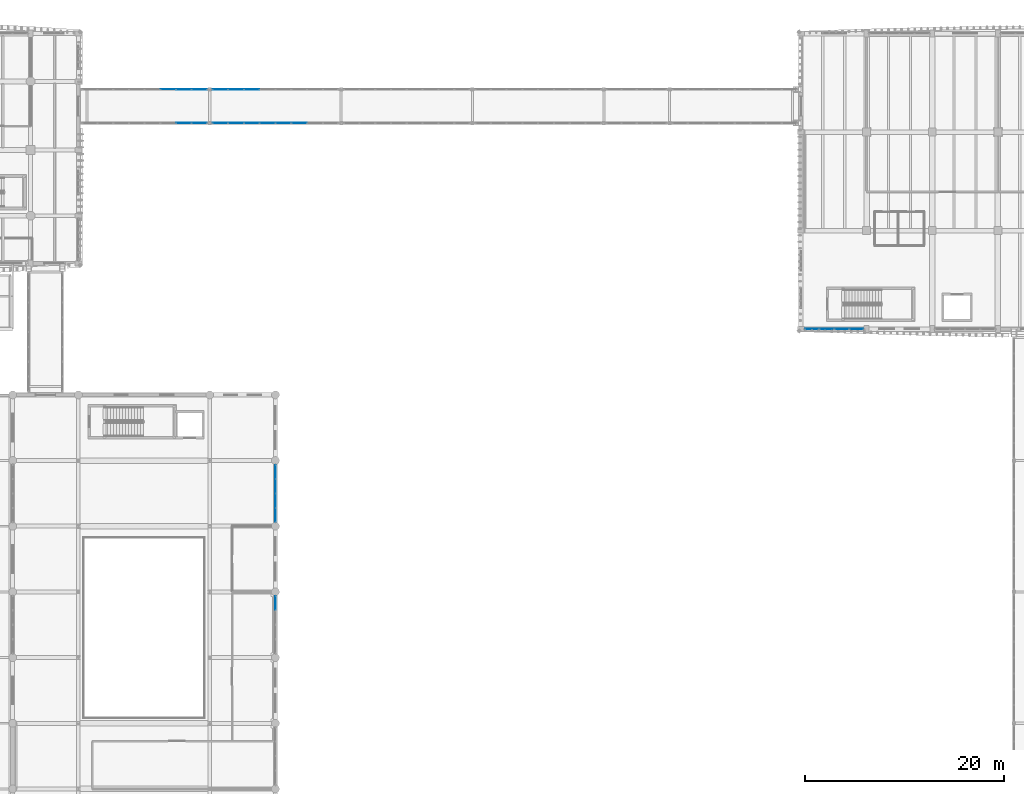
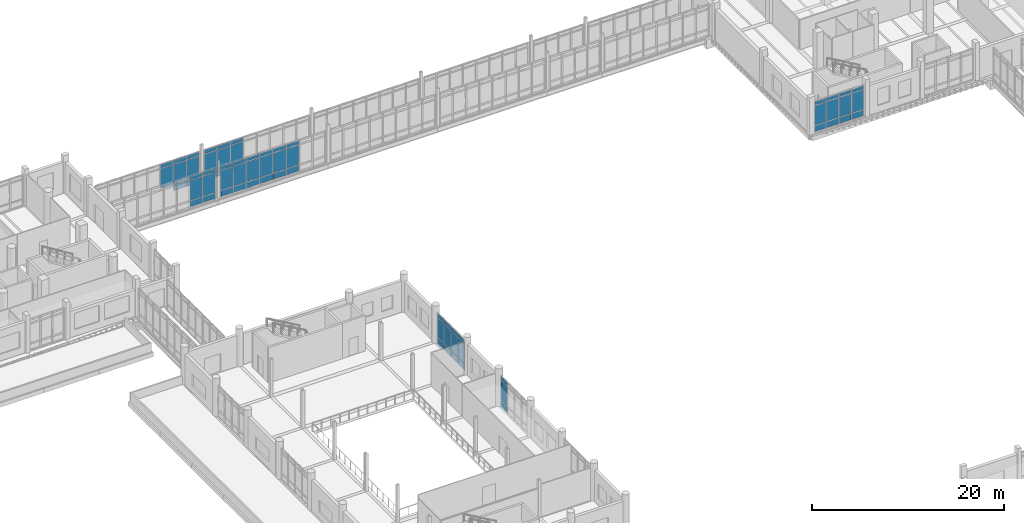
# One storey, part 69 of 125: 68 plates, 7 elements without a shape of their own.
"""IFC4 building model written with IfcOpenShell, lengths in metres."""

from ifc_helpers import new_model, si_unit, direction, frame, origin, origin_2d, place, context, subcontext, project, spatial, rectangle, extrude, material, layer, layer_set, type_object, element, aggregate, save


model = new_model("IFC4")

# Units and contexts
model_context = context("Model", 3, precision=1e-05, world=origin(), true_north=direction((0.0, 1.0)))
body_context = subcontext(model_context, "Body", "Model", "MODEL_VIEW")
ifc_project = project(units=[si_unit("LENGTHUNIT", "METRE"), si_unit("AREAUNIT", "SQUARE_METRE"), si_unit("VOLUMEUNIT", "CUBIC_METRE"), si_unit("PLANEANGLEUNIT", "RADIAN"), si_unit("MASSUNIT", "GRAM", prefix="KILO")], contexts=[model_context])

# Site, building, storey
site_placement = place(None, origin())
site = spatial("IfcSite", under=ifc_project, at=site_placement, CompositionType="ELEMENT")
building_placement = place(site_placement, origin())
building = spatial("IfcBuilding", under=site, at=building_placement, Name="Dornvale Research Institute", CompositionType="ELEMENT")
storey_placement = place(building_placement, frame((0.0, 0.0, 5.39990234375)))
storey = spatial("IfcBuildingStorey", under=building, at=storey_placement, Name="L01", CompositionType="ELEMENT", Elevation=5.39990234375)

# Curtain wall, plates
ifc_material_1 = material(Name="Low-E Argon Double Insulating Glazing Unit", Category="glass")
curtain_wall_type_1 = type_object("IfcCurtainWallType", Name="UnitisedCurtainWall_V2_5810x3950", PredefinedType="USERDEFINED", material=ifc_material_1)
curtain_wall_1_placement = place(storey_placement, origin())
curtain_wall_1 = element("IfcCurtainWall", 1, at=curtain_wall_1_placement, inside=storey, type_object=curtain_wall_type_1, Name="L01 V2 unitised curtain wall CW-02 #7", ObjectType="UNITISED CURTAIN WALL", PredefinedType="USERDEFINED")
ifc_material_2 = material(Name="Insulated Ceramic-Frit Spandrel Glass Panel", Category="glass")
ifc_layer_1 = layer(ifc_material_2, 0.0419921875)
ifc_layer_set_1 = layer_set([ifc_layer_1], Name="Insulated Ceramic-Frit Spandrel Glass Panel")
plate_type_1 = type_object("IfcPlateType", Name="CurtainPanel_Spandrel_42", PredefinedType="CURTAIN_PANEL", material=ifc_layer_set_1)
plate_1_placement = place(storey_placement, frame((66.0, 78.0625, 0.065185546875), z_axis=(0.0, 0.0, 1.0), x_axis=(0.0, -1.0, 0.0)))
plate_1 = element("IfcPlate", 2, at=plate_1_placement, type_object=plate_type_1, Name="CW-02 panel 1.1", PredefinedType="CURTAIN_PANEL", context=body_context, shape_type="SweptSolid", body=[
    extrude(rectangle(XDim=1.35498046875, YDim=0.0419921875, at=origin_2d()), origin(), (0.0, 0.0, 1.0), 0.75244140625),
])
plate_2_placement = place(storey_placement, frame((66.0, 76.626220703125, 0.065185546875), z_axis=(0.0, 0.0, 1.0), x_axis=(0.0, -1.0, 0.0)))
plate_2 = element("IfcPlate", 3, at=plate_2_placement, type_object=plate_type_1, Name="CW-02 panel 2.1", PredefinedType="CURTAIN_PANEL", context=body_context, shape_type="SweptSolid", body=[
    extrude(rectangle(XDim=1.387451171875, YDim=0.0419921875, at=origin_2d()), origin(), (0.0, 0.0, 1.0), 0.75244140625),
])
plate_3_placement = place(storey_placement, frame((66.0, 75.173828125, 0.065185546875), z_axis=(0.0, 0.0, 1.0), x_axis=(0.0, -1.0, 0.0)))
plate_3 = element("IfcPlate", 4, at=plate_3_placement, type_object=plate_type_1, Name="CW-02 panel 3.1", PredefinedType="CURTAIN_PANEL", context=body_context, shape_type="SweptSolid", body=[
    extrude(rectangle(XDim=1.387451171875, YDim=0.0419921875, at=origin_2d()), origin(), (0.0, 0.0, 1.0), 0.75244140625),
])
plate_4_placement = place(storey_placement, frame((66.0, 73.737548828125, 0.065185546875), z_axis=(0.0, 0.0, 1.0), x_axis=(0.0, -1.0, 0.0)))
plate_4 = element("IfcPlate", 5, at=plate_4_placement, type_object=plate_type_1, Name="CW-02 panel 4.1", PredefinedType="CURTAIN_PANEL", context=body_context, shape_type="SweptSolid", body=[
    extrude(rectangle(XDim=1.35498046875, YDim=0.0419921875, at=origin_2d()), origin(), (0.0, 0.0, 1.0), 0.75244140625),
])

# Curtain wall, plate
curtain_wall_2_placement = place(storey_placement, origin())
curtain_wall_2 = element("IfcCurtainWall", 6, at=curtain_wall_2_placement, inside=storey, type_object=curtain_wall_type_1, Name="L01 V2 unitised curtain wall CW-02 #8", ObjectType="UNITISED CURTAIN WALL", PredefinedType="USERDEFINED")
plate_5_placement = place(storey_placement, frame((66.0, 64.862548828125, 0.065185546875), z_axis=(0.0, 0.0, 1.0), x_axis=(0.0, -1.0, 0.0)))
plate_5 = element("IfcPlate", 7, at=plate_5_placement, type_object=plate_type_1, Name="CW-02 panel 1.1", PredefinedType="CURTAIN_PANEL", context=body_context, shape_type="SweptSolid", body=[
    extrude(rectangle(XDim=1.35498046875, YDim=0.0419921875, at=origin_2d()), origin(), (0.0, 0.0, 1.0), 0.75244140625),
])

# Curtain wall, plates
ifc_material_3 = material(Name="Low-E Argon Double Insulating Glazing Unit", Category="glass")
curtain_wall_type_2 = type_object("IfcCurtainWallType", Name="UnitisedCurtainWall_V4_6000x3950", PredefinedType="USERDEFINED", material=ifc_material_3)
curtain_wall_3_placement = place(storey_placement, origin())
curtain_wall_3 = element("IfcCurtainWall", 8, at=curtain_wall_3_placement, inside=storey, type_object=curtain_wall_type_2, Name="L01 V4 unitised curtain wall CW-14 #81", ObjectType="UNITISED CURTAIN WALL", PredefinedType="USERDEFINED")
plate_6_placement = place(storey_placement, frame((124.3837890625, 92.39990234375, 0.065185546875), z_axis=(0.0, 0.0, 1.0), x_axis=(-1.0, 0.0, 0.0)))
plate_6 = element("IfcPlate", 9, at=plate_6_placement, type_object=plate_type_1, Name="CW-14 panel 1.1", PredefinedType="CURTAIN_PANEL", context=body_context, shape_type="SweptSolid", body=[
    extrude(rectangle(XDim=1.402587890625, YDim=0.0419921875, at=origin_2d()), origin(), (0.0, 0.0, 1.0), 0.75244140625),
])
plate_7_placement = place(storey_placement, frame((122.89990234375, 92.39990234375, 0.065185546875), z_axis=(0.0, 0.0, 1.0), x_axis=(-1.0, 0.0, 0.0)))
plate_7 = element("IfcPlate", 10, at=plate_7_placement, type_object=plate_type_1, Name="CW-14 panel 2.1", PredefinedType="CURTAIN_PANEL", context=body_context, shape_type="SweptSolid", body=[
    extrude(rectangle(XDim=1.43505859375, YDim=0.0419921875, at=origin_2d()), origin(), (0.0, 0.0, 1.0), 0.75244140625),
])
plate_8_placement = place(storey_placement, frame((121.39990234375, 92.39990234375, 0.065185546875), z_axis=(0.0, 0.0, 1.0), x_axis=(-1.0, 0.0, 0.0)))
plate_8 = element("IfcPlate", 11, at=plate_8_placement, type_object=plate_type_1, Name="CW-14 panel 3.1", PredefinedType="CURTAIN_PANEL", context=body_context, shape_type="SweptSolid", body=[
    extrude(rectangle(XDim=1.43505859375, YDim=0.0419921875, at=origin_2d()), origin(), (0.0, 0.0, 1.0), 0.75244140625),
])
plate_9_placement = place(storey_placement, frame((119.916259765625, 92.39990234375, 0.065185546875), z_axis=(0.0, 0.0, 1.0), x_axis=(-1.0, 0.0, 0.0)))
plate_9 = element("IfcPlate", 12, at=plate_9_placement, type_object=plate_type_1, Name="CW-14 panel 4.1", PredefinedType="CURTAIN_PANEL", context=body_context, shape_type="SweptSolid", body=[
    extrude(rectangle(XDim=1.402587890625, YDim=0.0419921875, at=origin_2d()), origin(), (0.0, 0.0, 1.0), 0.75244140625),
])

ifc_material_4 = material(Name="Low-E Argon Double Insulating Glazing Unit", Category="glass")
curtain_wall_type_3 = type_object("IfcCurtainWallType", Name="UnitisedCurtainWall_V2_12600x4000", PredefinedType="USERDEFINED", material=ifc_material_4)
curtain_wall_4_placement = place(storey_placement, origin())
curtain_wall_4 = element("IfcCurtainWall", 13, at=curtain_wall_4_placement, inside=storey, type_object=curtain_wall_type_3, Name="L01 V2 unitised curtain wall CW-41 #211", ObjectType="UNITISED CURTAIN WALL", PredefinedType="USERDEFINED")
plate_10_placement = place(storey_placement, frame((56.78759765625, 116.5, 0.065185546875), z_axis=(0.0, 0.0, 1.0), x_axis=(1.0, 0.0, 0.0)))
plate_10 = element("IfcPlate", 14, at=plate_10_placement, type_object=plate_type_1, Name="CW-41 panel 7.1", PredefinedType="CURTAIN_PANEL", context=body_context, shape_type="SweptSolid", body=[
    extrude(rectangle(XDim=1.510009765625, YDim=0.0419921875, at=origin_2d()), origin(), (0.0, 0.0, 1.0), 0.75244140625),
])
plate_11_placement = place(storey_placement, frame((58.34619140625, 116.5, 0.065185546875), z_axis=(0.0, 0.0, 1.0), x_axis=(1.0, 0.0, 0.0)))
plate_11 = element("IfcPlate", 15, at=plate_11_placement, type_object=plate_type_1, Name="CW-41 panel 8.1", PredefinedType="CURTAIN_PANEL", context=body_context, shape_type="SweptSolid", body=[
    extrude(rectangle(XDim=1.4775390625, YDim=0.0419921875, at=origin_2d()), origin(), (0.0, 0.0, 1.0), 0.75244140625),
])

curtain_wall_5_placement = place(storey_placement, origin())
curtain_wall_5 = element("IfcCurtainWall", 16, at=curtain_wall_5_placement, inside=storey, type_object=curtain_wall_type_3, Name="L01 V2 unitised curtain wall CW-41 #212", ObjectType="UNITISED CURTAIN WALL", PredefinedType="USERDEFINED")
plate_12_placement = place(storey_placement, frame((58.34619140625, 113.10009765625, 0.065185546875), z_axis=(0.0, 0.0, 1.0), x_axis=(-1.0, 0.0, 0.0)))
plate_12 = element("IfcPlate", 17, at=plate_12_placement, type_object=plate_type_1, Name="CW-41 panel 1.1", PredefinedType="CURTAIN_PANEL", context=body_context, shape_type="SweptSolid", body=[
    extrude(rectangle(XDim=1.4775390625, YDim=0.0419921875, at=origin_2d()), origin(), (0.0, 0.0, 1.0), 0.75244140625),
])
plate_13_placement = place(storey_placement, frame((56.78759765625, 113.10009765625, 0.065185546875), z_axis=(0.0, 0.0, 1.0), x_axis=(-1.0, 0.0, 0.0)))
plate_13 = element("IfcPlate", 18, at=plate_13_placement, type_object=plate_type_1, Name="CW-41 panel 2.1", PredefinedType="CURTAIN_PANEL", context=body_context, shape_type="SweptSolid", body=[
    extrude(rectangle(XDim=1.510009765625, YDim=0.0419921875, at=origin_2d()), origin(), (0.0, 0.0, 1.0), 0.75244140625),
])

ifc_material_5 = material(Name="Low-E Argon Double Insulating Glazing Unit", Category="glass")
curtain_wall_type_4 = type_object("IfcCurtainWallType", Name="UnitisedCurtainWall_V2_12700x4000", PredefinedType="USERDEFINED", material=ifc_material_5)
curtain_wall_6_placement = place(storey_placement, origin())
curtain_wall_6 = element("IfcCurtainWall", 19, at=curtain_wall_6_placement, inside=storey, type_object=curtain_wall_type_4, Name="L01 V2 unitised curtain wall CW-42 #213", ObjectType="UNITISED CURTAIN WALL", PredefinedType="USERDEFINED")
plate_14_placement = place(storey_placement, frame((60.4599609375, 116.5, 0.065185546875), z_axis=(0.0, 0.0, 1.0), x_axis=(1.0, 0.0, 0.0)))
plate_14 = element("IfcPlate", 20, at=plate_14_placement, type_object=plate_type_1, Name="CW-42 panel 1.1", PredefinedType="CURTAIN_PANEL", context=body_context, shape_type="SweptSolid", body=[
    extrude(rectangle(XDim=1.489990234375, YDim=0.0419921875, at=origin_2d()), origin(), (0.0, 0.0, 1.0), 0.75244140625),
])
plate_15_placement = place(storey_placement, frame((62.03125, 116.5, 0.065185546875), z_axis=(0.0, 0.0, 1.0), x_axis=(1.0, 0.0, 0.0)))
plate_15 = element("IfcPlate", 21, at=plate_15_placement, type_object=plate_type_1, Name="CW-42 panel 2.1", PredefinedType="CURTAIN_PANEL", context=body_context, shape_type="SweptSolid", body=[
    extrude(rectangle(XDim=1.5224609375, YDim=0.0419921875, at=origin_2d()), origin(), (0.0, 0.0, 1.0), 0.75244140625),
])
plate_16_placement = place(storey_placement, frame((63.61865234375, 116.5, 0.065185546875), z_axis=(0.0, 0.0, 1.0), x_axis=(1.0, 0.0, 0.0)))
plate_16 = element("IfcPlate", 22, at=plate_16_placement, type_object=plate_type_1, Name="CW-42 panel 3.1", PredefinedType="CURTAIN_PANEL", context=body_context, shape_type="SweptSolid", body=[
    extrude(rectangle(XDim=1.5224609375, YDim=0.0419921875, at=origin_2d()), origin(), (0.0, 0.0, 1.0), 0.75244140625),
])

curtain_wall_7_placement = place(storey_placement, origin())
curtain_wall_7 = element("IfcCurtainWall", 23, at=curtain_wall_7_placement, inside=storey, type_object=curtain_wall_type_4, Name="L01 V2 unitised curtain wall CW-42 #214", ObjectType="UNITISED CURTAIN WALL", PredefinedType="USERDEFINED")
plate_17_placement = place(storey_placement, frame((68.38134765625, 113.10009765625, 0.065185546875), z_axis=(0.0, 0.0, 1.0), x_axis=(-1.0, 0.0, 0.0)))
plate_17 = element("IfcPlate", 24, at=plate_17_placement, type_object=plate_type_1, Name="CW-42 panel 3.1", PredefinedType="CURTAIN_PANEL", context=body_context, shape_type="SweptSolid", body=[
    extrude(rectangle(XDim=1.5224609375, YDim=0.0419921875, at=origin_2d()), origin(), (0.0, 0.0, 1.0), 0.75244140625),
])
plate_18_placement = place(storey_placement, frame((66.793701171875, 113.10009765625, 0.065185546875), z_axis=(0.0, 0.0, 1.0), x_axis=(-1.0, 0.0, 0.0)))
plate_18 = element("IfcPlate", 25, at=plate_18_placement, type_object=plate_type_1, Name="CW-42 panel 4.1", PredefinedType="CURTAIN_PANEL", context=body_context, shape_type="SweptSolid", body=[
    extrude(rectangle(XDim=1.5224609375, YDim=0.0419921875, at=origin_2d()), origin(), (0.0, 0.0, 1.0), 0.75244140625),
])
plate_19_placement = place(storey_placement, frame((65.206298828125, 113.10009765625, 0.065185546875), z_axis=(0.0, 0.0, 1.0), x_axis=(-1.0, 0.0, 0.0)))
plate_19 = element("IfcPlate", 26, at=plate_19_placement, type_object=plate_type_1, Name="CW-42 panel 5.1", PredefinedType="CURTAIN_PANEL", context=body_context, shape_type="SweptSolid", body=[
    extrude(rectangle(XDim=1.5224609375, YDim=0.0419921875, at=origin_2d()), origin(), (0.0, 0.0, 1.0), 0.75244140625),
])
plate_20_placement = place(storey_placement, frame((63.61865234375, 113.10009765625, 0.065185546875), z_axis=(0.0, 0.0, 1.0), x_axis=(-1.0, 0.0, 0.0)))
plate_20 = element("IfcPlate", 27, at=plate_20_placement, type_object=plate_type_1, Name="CW-42 panel 6.1", PredefinedType="CURTAIN_PANEL", context=body_context, shape_type="SweptSolid", body=[
    extrude(rectangle(XDim=1.5224609375, YDim=0.0419921875, at=origin_2d()), origin(), (0.0, 0.0, 1.0), 0.75244140625),
])
plate_21_placement = place(storey_placement, frame((62.03125, 113.10009765625, 0.065185546875), z_axis=(0.0, 0.0, 1.0), x_axis=(-1.0, 0.0, 0.0)))
plate_21 = element("IfcPlate", 28, at=plate_21_placement, type_object=plate_type_1, Name="CW-42 panel 7.1", PredefinedType="CURTAIN_PANEL", context=body_context, shape_type="SweptSolid", body=[
    extrude(rectangle(XDim=1.5224609375, YDim=0.0419921875, at=origin_2d()), origin(), (0.0, 0.0, 1.0), 0.75244140625),
])
plate_22_placement = place(storey_placement, frame((60.4599609375, 113.10009765625, 0.065185546875), z_axis=(0.0, 0.0, 1.0), x_axis=(-1.0, 0.0, 0.0)))
plate_22 = element("IfcPlate", 29, at=plate_22_placement, type_object=plate_type_1, Name="CW-42 panel 8.1", PredefinedType="CURTAIN_PANEL", context=body_context, shape_type="SweptSolid", body=[
    extrude(rectangle(XDim=1.489990234375, YDim=0.0419921875, at=origin_2d()), origin(), (0.0, 0.0, 1.0), 0.75244140625),
])

# Plate
ifc_material_6 = material(Name="Low-E Argon Double Insulating Glazing Unit", Category="glass")
ifc_layer_2 = layer(ifc_material_6, 0.028076171875)
ifc_layer_set_2 = layer_set([ifc_layer_2], Name="Low-E Argon Double Insulating Glazing Unit")
plate_type_2 = type_object("IfcPlateType", Name="CurtainPanel_Vision_28", PredefinedType="CURTAIN_PANEL", material=ifc_layer_set_2)
plate_23_placement = place(storey_placement, frame((66.0, 78.0625, 0.88232421875), z_axis=(0.0, 0.0, 1.0), x_axis=(0.0, -1.0, 0.0)))
plate_23 = element("IfcPlate", 30, at=plate_23_placement, type_object=plate_type_2, Name="CW-02 panel 1.2", PredefinedType="CURTAIN_PANEL", context=body_context, shape_type="SweptSolid", body=[
    extrude(rectangle(XDim=1.35498046875, YDim=0.028076171875, at=origin_2d()), origin(), (0.0, 0.0, 1.0), 2.485107421875),
])

plate_24_placement = place(storey_placement, frame((66.0, 78.0625, 3.4326171875), z_axis=(0.0, 0.0, 1.0), x_axis=(0.0, -1.0, 0.0)))
plate_24 = element("IfcPlate", 31, at=plate_24_placement, type_object=plate_type_2, Name="CW-02 panel 1.3", PredefinedType="CURTAIN_PANEL", context=body_context, shape_type="SweptSolid", body=[
    extrude(rectangle(XDim=1.35498046875, YDim=0.028076171875, at=origin_2d()), origin(), (0.0, 0.0, 1.0), 0.452392578125),
])

plate_25_placement = place(storey_placement, frame((66.0, 76.626220703125, 0.88232421875), z_axis=(0.0, 0.0, 1.0), x_axis=(0.0, -1.0, 0.0)))
plate_25 = element("IfcPlate", 32, at=plate_25_placement, type_object=plate_type_2, Name="CW-02 panel 2.2", PredefinedType="CURTAIN_PANEL", context=body_context, shape_type="SweptSolid", body=[
    extrude(rectangle(XDim=1.387451171875, YDim=0.028076171875, at=origin_2d()), origin(), (0.0, 0.0, 1.0), 2.485107421875),
])

plate_26_placement = place(storey_placement, frame((66.0, 76.626220703125, 3.4326171875), z_axis=(0.0, 0.0, 1.0), x_axis=(0.0, -1.0, 0.0)))
plate_26 = element("IfcPlate", 33, at=plate_26_placement, type_object=plate_type_2, Name="CW-02 panel 2.3", PredefinedType="CURTAIN_PANEL", context=body_context, shape_type="SweptSolid", body=[
    extrude(rectangle(XDim=1.387451171875, YDim=0.028076171875, at=origin_2d()), origin(), (0.0, 0.0, 1.0), 0.452392578125),
])

plate_27_placement = place(storey_placement, frame((66.0, 75.173828125, 0.88232421875), z_axis=(0.0, 0.0, 1.0), x_axis=(0.0, -1.0, 0.0)))
plate_27 = element("IfcPlate", 34, at=plate_27_placement, type_object=plate_type_2, Name="CW-02 panel 3.2", PredefinedType="CURTAIN_PANEL", context=body_context, shape_type="SweptSolid", body=[
    extrude(rectangle(XDim=1.387451171875, YDim=0.028076171875, at=origin_2d()), origin(), (0.0, 0.0, 1.0), 2.485107421875),
])

plate_28_placement = place(storey_placement, frame((66.0, 75.173828125, 3.4326171875), z_axis=(0.0, 0.0, 1.0), x_axis=(0.0, -1.0, 0.0)))
plate_28 = element("IfcPlate", 35, at=plate_28_placement, type_object=plate_type_2, Name="CW-02 panel 3.3", PredefinedType="CURTAIN_PANEL", context=body_context, shape_type="SweptSolid", body=[
    extrude(rectangle(XDim=1.387451171875, YDim=0.028076171875, at=origin_2d()), origin(), (0.0, 0.0, 1.0), 0.452392578125),
])

plate_29_placement = place(storey_placement, frame((66.0, 73.737548828125, 0.88232421875), z_axis=(0.0, 0.0, 1.0), x_axis=(0.0, -1.0, 0.0)))
plate_29 = element("IfcPlate", 36, at=plate_29_placement, type_object=plate_type_2, Name="CW-02 panel 4.2", PredefinedType="CURTAIN_PANEL", context=body_context, shape_type="SweptSolid", body=[
    extrude(rectangle(XDim=1.35498046875, YDim=0.028076171875, at=origin_2d()), origin(), (0.0, 0.0, 1.0), 2.485107421875),
])

plate_30_placement = place(storey_placement, frame((66.0, 73.737548828125, 3.4326171875), z_axis=(0.0, 0.0, 1.0), x_axis=(0.0, -1.0, 0.0)))
plate_30 = element("IfcPlate", 37, at=plate_30_placement, type_object=plate_type_2, Name="CW-02 panel 4.3", PredefinedType="CURTAIN_PANEL", context=body_context, shape_type="SweptSolid", body=[
    extrude(rectangle(XDim=1.35498046875, YDim=0.028076171875, at=origin_2d()), origin(), (0.0, 0.0, 1.0), 0.452392578125),
])

aggregate(curtain_wall_1, [plate_1, plate_23, plate_24, plate_2, plate_25, plate_26, plate_3, plate_27, plate_28, plate_4, plate_29, plate_30])

plate_31_placement = place(storey_placement, frame((66.0, 64.862548828125, 0.88232421875), z_axis=(0.0, 0.0, 1.0), x_axis=(0.0, -1.0, 0.0)))
plate_31 = element("IfcPlate", 38, at=plate_31_placement, type_object=plate_type_2, Name="CW-02 panel 1.2", PredefinedType="CURTAIN_PANEL", context=body_context, shape_type="SweptSolid", body=[
    extrude(rectangle(XDim=1.35498046875, YDim=0.028076171875, at=origin_2d()), origin(), (0.0, 0.0, 1.0), 2.485107421875),
])

plate_32_placement = place(storey_placement, frame((66.0, 64.862548828125, 3.4326171875), z_axis=(0.0, 0.0, 1.0), x_axis=(0.0, -1.0, 0.0)))
plate_32 = element("IfcPlate", 39, at=plate_32_placement, type_object=plate_type_2, Name="CW-02 panel 1.3", PredefinedType="CURTAIN_PANEL", context=body_context, shape_type="SweptSolid", body=[
    extrude(rectangle(XDim=1.35498046875, YDim=0.028076171875, at=origin_2d()), origin(), (0.0, 0.0, 1.0), 0.452392578125),
])

aggregate(curtain_wall_2, [plate_5, plate_31, plate_32])

plate_33_placement = place(storey_placement, frame((124.3837890625, 92.39990234375, 0.88232421875), z_axis=(0.0, 0.0, 1.0), x_axis=(-1.0, 0.0, 0.0)))
plate_33 = element("IfcPlate", 40, at=plate_33_placement, type_object=plate_type_2, Name="CW-14 panel 1.2", PredefinedType="CURTAIN_PANEL", context=body_context, shape_type="SweptSolid", body=[
    extrude(rectangle(XDim=1.402587890625, YDim=0.028076171875, at=origin_2d()), origin(), (0.0, 0.0, 1.0), 2.485107421875),
])

plate_34_placement = place(storey_placement, frame((124.3837890625, 92.39990234375, 3.4326171875), z_axis=(0.0, 0.0, 1.0), x_axis=(-1.0, 0.0, 0.0)))
plate_34 = element("IfcPlate", 41, at=plate_34_placement, type_object=plate_type_2, Name="CW-14 panel 1.3", PredefinedType="CURTAIN_PANEL", context=body_context, shape_type="SweptSolid", body=[
    extrude(rectangle(XDim=1.402587890625, YDim=0.028076171875, at=origin_2d()), origin(), (0.0, 0.0, 1.0), 0.452392578125),
])

plate_35_placement = place(storey_placement, frame((122.89990234375, 92.39990234375, 0.88232421875), z_axis=(0.0, 0.0, 1.0), x_axis=(-1.0, 0.0, 0.0)))
plate_35 = element("IfcPlate", 42, at=plate_35_placement, type_object=plate_type_2, Name="CW-14 panel 2.2", PredefinedType="CURTAIN_PANEL", context=body_context, shape_type="SweptSolid", body=[
    extrude(rectangle(XDim=1.43505859375, YDim=0.028076171875, at=origin_2d()), origin(), (0.0, 0.0, 1.0), 2.485107421875),
])

plate_36_placement = place(storey_placement, frame((122.89990234375, 92.39990234375, 3.4326171875), z_axis=(0.0, 0.0, 1.0), x_axis=(-1.0, 0.0, 0.0)))
plate_36 = element("IfcPlate", 43, at=plate_36_placement, type_object=plate_type_2, Name="CW-14 panel 2.3", PredefinedType="CURTAIN_PANEL", context=body_context, shape_type="SweptSolid", body=[
    extrude(rectangle(XDim=1.43505859375, YDim=0.028076171875, at=origin_2d()), origin(), (0.0, 0.0, 1.0), 0.452392578125),
])

plate_37_placement = place(storey_placement, frame((121.39990234375, 92.39990234375, 0.88232421875), z_axis=(0.0, 0.0, 1.0), x_axis=(-1.0, 0.0, 0.0)))
plate_37 = element("IfcPlate", 44, at=plate_37_placement, type_object=plate_type_2, Name="CW-14 panel 3.2", PredefinedType="CURTAIN_PANEL", context=body_context, shape_type="SweptSolid", body=[
    extrude(rectangle(XDim=1.43505859375, YDim=0.028076171875, at=origin_2d()), origin(), (0.0, 0.0, 1.0), 2.485107421875),
])

plate_38_placement = place(storey_placement, frame((121.39990234375, 92.39990234375, 3.4326171875), z_axis=(0.0, 0.0, 1.0), x_axis=(-1.0, 0.0, 0.0)))
plate_38 = element("IfcPlate", 45, at=plate_38_placement, type_object=plate_type_2, Name="CW-14 panel 3.3", PredefinedType="CURTAIN_PANEL", context=body_context, shape_type="SweptSolid", body=[
    extrude(rectangle(XDim=1.43505859375, YDim=0.028076171875, at=origin_2d()), origin(), (0.0, 0.0, 1.0), 0.452392578125),
])

plate_39_placement = place(storey_placement, frame((119.916259765625, 92.39990234375, 0.88232421875), z_axis=(0.0, 0.0, 1.0), x_axis=(-1.0, 0.0, 0.0)))
plate_39 = element("IfcPlate", 46, at=plate_39_placement, type_object=plate_type_2, Name="CW-14 panel 4.2", PredefinedType="CURTAIN_PANEL", context=body_context, shape_type="SweptSolid", body=[
    extrude(rectangle(XDim=1.402587890625, YDim=0.028076171875, at=origin_2d()), origin(), (0.0, 0.0, 1.0), 2.485107421875),
])

plate_40_placement = place(storey_placement, frame((119.916259765625, 92.39990234375, 3.4326171875), z_axis=(0.0, 0.0, 1.0), x_axis=(-1.0, 0.0, 0.0)))
plate_40 = element("IfcPlate", 47, at=plate_40_placement, type_object=plate_type_2, Name="CW-14 panel 4.3", PredefinedType="CURTAIN_PANEL", context=body_context, shape_type="SweptSolid", body=[
    extrude(rectangle(XDim=1.402587890625, YDim=0.028076171875, at=origin_2d()), origin(), (0.0, 0.0, 1.0), 0.452392578125),
])

aggregate(curtain_wall_3, [plate_6, plate_33, plate_34, plate_7, plate_35, plate_36, plate_8, plate_37, plate_38, plate_9, plate_39, plate_40])

plate_41_placement = place(storey_placement, frame((55.21240234375, 116.5, 0.8828125), z_axis=(0.0, 0.0, 1.0), x_axis=(1.0, 0.0, 0.0)))
plate_41 = element("IfcPlate", 48, at=plate_41_placement, type_object=plate_type_2, Name="CW-41 panel 6.2", PredefinedType="CURTAIN_PANEL", context=body_context, shape_type="SweptSolid", body=[
    extrude(rectangle(XDim=1.510009765625, YDim=0.028076171875, at=origin_2d()), origin(), (0.0, 0.0, 1.0), 2.534912109375),
])

plate_42_placement = place(storey_placement, frame((55.21240234375, 116.5, 3.482421875), z_axis=(0.0, 0.0, 1.0), x_axis=(1.0, 0.0, 0.0)))
plate_42 = element("IfcPlate", 49, at=plate_42_placement, type_object=plate_type_2, Name="CW-41 panel 6.3", PredefinedType="CURTAIN_PANEL", context=body_context, shape_type="SweptSolid", body=[
    extrude(rectangle(XDim=1.510009765625, YDim=0.028076171875, at=origin_2d()), origin(), (0.0, 0.0, 1.0), 0.452392578125),
])

plate_43_placement = place(storey_placement, frame((56.78759765625, 116.5, 0.8828125), z_axis=(0.0, 0.0, 1.0), x_axis=(1.0, 0.0, 0.0)))
plate_43 = element("IfcPlate", 50, at=plate_43_placement, type_object=plate_type_2, Name="CW-41 panel 7.2", PredefinedType="CURTAIN_PANEL", context=body_context, shape_type="SweptSolid", body=[
    extrude(rectangle(XDim=1.510009765625, YDim=0.028076171875, at=origin_2d()), origin(), (0.0, 0.0, 1.0), 2.534912109375),
])

plate_44_placement = place(storey_placement, frame((56.78759765625, 116.5, 3.482421875), z_axis=(0.0, 0.0, 1.0), x_axis=(1.0, 0.0, 0.0)))
plate_44 = element("IfcPlate", 51, at=plate_44_placement, type_object=plate_type_2, Name="CW-41 panel 7.3", PredefinedType="CURTAIN_PANEL", context=body_context, shape_type="SweptSolid", body=[
    extrude(rectangle(XDim=1.510009765625, YDim=0.028076171875, at=origin_2d()), origin(), (0.0, 0.0, 1.0), 0.452392578125),
])

plate_45_placement = place(storey_placement, frame((58.34619140625, 116.5, 0.8828125), z_axis=(0.0, 0.0, 1.0), x_axis=(1.0, 0.0, 0.0)))
plate_45 = element("IfcPlate", 52, at=plate_45_placement, type_object=plate_type_2, Name="CW-41 panel 8.2", PredefinedType="CURTAIN_PANEL", context=body_context, shape_type="SweptSolid", body=[
    extrude(rectangle(XDim=1.4775390625, YDim=0.028076171875, at=origin_2d()), origin(), (0.0, 0.0, 1.0), 2.534912109375),
])

plate_46_placement = place(storey_placement, frame((58.34619140625, 116.5, 3.482421875), z_axis=(0.0, 0.0, 1.0), x_axis=(1.0, 0.0, 0.0)))
plate_46 = element("IfcPlate", 53, at=plate_46_placement, type_object=plate_type_2, Name="CW-41 panel 8.3", PredefinedType="CURTAIN_PANEL", context=body_context, shape_type="SweptSolid", body=[
    extrude(rectangle(XDim=1.4775390625, YDim=0.028076171875, at=origin_2d()), origin(), (0.0, 0.0, 1.0), 0.452392578125),
])

aggregate(curtain_wall_4, [plate_41, plate_42, plate_10, plate_43, plate_44, plate_11, plate_45, plate_46])

plate_47_placement = place(storey_placement, frame((58.34619140625, 113.10009765625, 0.8828125), z_axis=(0.0, 0.0, 1.0), x_axis=(-1.0, 0.0, 0.0)))
plate_47 = element("IfcPlate", 54, at=plate_47_placement, type_object=plate_type_2, Name="CW-41 panel 1.2", PredefinedType="CURTAIN_PANEL", context=body_context, shape_type="SweptSolid", body=[
    extrude(rectangle(XDim=1.4775390625, YDim=0.028076171875, at=origin_2d()), origin(), (0.0, 0.0, 1.0), 2.534912109375),
])

plate_48_placement = place(storey_placement, frame((58.34619140625, 113.10009765625, 3.482421875), z_axis=(0.0, 0.0, 1.0), x_axis=(-1.0, 0.0, 0.0)))
plate_48 = element("IfcPlate", 55, at=plate_48_placement, type_object=plate_type_2, Name="CW-41 panel 1.3", PredefinedType="CURTAIN_PANEL", context=body_context, shape_type="SweptSolid", body=[
    extrude(rectangle(XDim=1.4775390625, YDim=0.028076171875, at=origin_2d()), origin(), (0.0, 0.0, 1.0), 0.452392578125),
])

plate_49_placement = place(storey_placement, frame((56.78759765625, 113.10009765625, 0.8828125), z_axis=(0.0, 0.0, 1.0), x_axis=(-1.0, 0.0, 0.0)))
plate_49 = element("IfcPlate", 56, at=plate_49_placement, type_object=plate_type_2, Name="CW-41 panel 2.2", PredefinedType="CURTAIN_PANEL", context=body_context, shape_type="SweptSolid", body=[
    extrude(rectangle(XDim=1.510009765625, YDim=0.028076171875, at=origin_2d()), origin(), (0.0, 0.0, 1.0), 2.534912109375),
])

plate_50_placement = place(storey_placement, frame((56.78759765625, 113.10009765625, 3.482421875), z_axis=(0.0, 0.0, 1.0), x_axis=(-1.0, 0.0, 0.0)))
plate_50 = element("IfcPlate", 57, at=plate_50_placement, type_object=plate_type_2, Name="CW-41 panel 2.3", PredefinedType="CURTAIN_PANEL", context=body_context, shape_type="SweptSolid", body=[
    extrude(rectangle(XDim=1.510009765625, YDim=0.028076171875, at=origin_2d()), origin(), (0.0, 0.0, 1.0), 0.452392578125),
])

aggregate(curtain_wall_5, [plate_12, plate_47, plate_48, plate_13, plate_49, plate_50])

plate_51_placement = place(storey_placement, frame((60.4599609375, 116.5, 0.8828125), z_axis=(0.0, 0.0, 1.0), x_axis=(1.0, 0.0, 0.0)))
plate_51 = element("IfcPlate", 58, at=plate_51_placement, type_object=plate_type_2, Name="CW-42 panel 1.2", PredefinedType="CURTAIN_PANEL", context=body_context, shape_type="SweptSolid", body=[
    extrude(rectangle(XDim=1.489990234375, YDim=0.028076171875, at=origin_2d()), origin(), (0.0, 0.0, 1.0), 2.534912109375),
])

plate_52_placement = place(storey_placement, frame((60.4599609375, 116.5, 3.482421875), z_axis=(0.0, 0.0, 1.0), x_axis=(1.0, 0.0, 0.0)))
plate_52 = element("IfcPlate", 59, at=plate_52_placement, type_object=plate_type_2, Name="CW-42 panel 1.3", PredefinedType="CURTAIN_PANEL", context=body_context, shape_type="SweptSolid", body=[
    extrude(rectangle(XDim=1.489990234375, YDim=0.028076171875, at=origin_2d()), origin(), (0.0, 0.0, 1.0), 0.452392578125),
])

plate_53_placement = place(storey_placement, frame((62.03125, 116.5, 0.8828125), z_axis=(0.0, 0.0, 1.0), x_axis=(1.0, 0.0, 0.0)))
plate_53 = element("IfcPlate", 60, at=plate_53_placement, type_object=plate_type_2, Name="CW-42 panel 2.2", PredefinedType="CURTAIN_PANEL", context=body_context, shape_type="SweptSolid", body=[
    extrude(rectangle(XDim=1.5224609375, YDim=0.028076171875, at=origin_2d()), origin(), (0.0, 0.0, 1.0), 2.534912109375),
])

plate_54_placement = place(storey_placement, frame((62.03125, 116.5, 3.482421875), z_axis=(0.0, 0.0, 1.0), x_axis=(1.0, 0.0, 0.0)))
plate_54 = element("IfcPlate", 61, at=plate_54_placement, type_object=plate_type_2, Name="CW-42 panel 2.3", PredefinedType="CURTAIN_PANEL", context=body_context, shape_type="SweptSolid", body=[
    extrude(rectangle(XDim=1.5224609375, YDim=0.028076171875, at=origin_2d()), origin(), (0.0, 0.0, 1.0), 0.452392578125),
])

plate_55_placement = place(storey_placement, frame((63.61865234375, 116.5, 0.8828125), z_axis=(0.0, 0.0, 1.0), x_axis=(1.0, 0.0, 0.0)))
plate_55 = element("IfcPlate", 62, at=plate_55_placement, type_object=plate_type_2, Name="CW-42 panel 3.2", PredefinedType="CURTAIN_PANEL", context=body_context, shape_type="SweptSolid", body=[
    extrude(rectangle(XDim=1.5224609375, YDim=0.028076171875, at=origin_2d()), origin(), (0.0, 0.0, 1.0), 2.534912109375),
])

plate_56_placement = place(storey_placement, frame((63.61865234375, 116.5, 3.482421875), z_axis=(0.0, 0.0, 1.0), x_axis=(1.0, 0.0, 0.0)))
plate_56 = element("IfcPlate", 63, at=plate_56_placement, type_object=plate_type_2, Name="CW-42 panel 3.3", PredefinedType="CURTAIN_PANEL", context=body_context, shape_type="SweptSolid", body=[
    extrude(rectangle(XDim=1.5224609375, YDim=0.028076171875, at=origin_2d()), origin(), (0.0, 0.0, 1.0), 0.452392578125),
])

aggregate(curtain_wall_6, [plate_14, plate_51, plate_52, plate_15, plate_53, plate_54, plate_16, plate_55, plate_56])

plate_57_placement = place(storey_placement, frame((68.38134765625, 113.10009765625, 0.8828125), z_axis=(0.0, 0.0, 1.0), x_axis=(-1.0, 0.0, 0.0)))
plate_57 = element("IfcPlate", 64, at=plate_57_placement, type_object=plate_type_2, Name="CW-42 panel 3.2", PredefinedType="CURTAIN_PANEL", context=body_context, shape_type="SweptSolid", body=[
    extrude(rectangle(XDim=1.5224609375, YDim=0.028076171875, at=origin_2d()), origin(), (0.0, 0.0, 1.0), 2.534912109375),
])

plate_58_placement = place(storey_placement, frame((68.38134765625, 113.10009765625, 3.482421875), z_axis=(0.0, 0.0, 1.0), x_axis=(-1.0, 0.0, 0.0)))
plate_58 = element("IfcPlate", 65, at=plate_58_placement, type_object=plate_type_2, Name="CW-42 panel 3.3", PredefinedType="CURTAIN_PANEL", context=body_context, shape_type="SweptSolid", body=[
    extrude(rectangle(XDim=1.5224609375, YDim=0.028076171875, at=origin_2d()), origin(), (0.0, 0.0, 1.0), 0.452392578125),
])

plate_59_placement = place(storey_placement, frame((66.793701171875, 113.10009765625, 0.8828125), z_axis=(0.0, 0.0, 1.0), x_axis=(-1.0, 0.0, 0.0)))
plate_59 = element("IfcPlate", 66, at=plate_59_placement, type_object=plate_type_2, Name="CW-42 panel 4.2", PredefinedType="CURTAIN_PANEL", context=body_context, shape_type="SweptSolid", body=[
    extrude(rectangle(XDim=1.5224609375, YDim=0.028076171875, at=origin_2d()), origin(), (0.0, 0.0, 1.0), 2.534912109375),
])

plate_60_placement = place(storey_placement, frame((66.793701171875, 113.10009765625, 3.482421875), z_axis=(0.0, 0.0, 1.0), x_axis=(-1.0, 0.0, 0.0)))
plate_60 = element("IfcPlate", 67, at=plate_60_placement, type_object=plate_type_2, Name="CW-42 panel 4.3", PredefinedType="CURTAIN_PANEL", context=body_context, shape_type="SweptSolid", body=[
    extrude(rectangle(XDim=1.5224609375, YDim=0.028076171875, at=origin_2d()), origin(), (0.0, 0.0, 1.0), 0.452392578125),
])

plate_61_placement = place(storey_placement, frame((65.206298828125, 113.10009765625, 0.8828125), z_axis=(0.0, 0.0, 1.0), x_axis=(-1.0, 0.0, 0.0)))
plate_61 = element("IfcPlate", 68, at=plate_61_placement, type_object=plate_type_2, Name="CW-42 panel 5.2", PredefinedType="CURTAIN_PANEL", context=body_context, shape_type="SweptSolid", body=[
    extrude(rectangle(XDim=1.5224609375, YDim=0.028076171875, at=origin_2d()), origin(), (0.0, 0.0, 1.0), 2.534912109375),
])

plate_62_placement = place(storey_placement, frame((65.206298828125, 113.10009765625, 3.482421875), z_axis=(0.0, 0.0, 1.0), x_axis=(-1.0, 0.0, 0.0)))
plate_62 = element("IfcPlate", 69, at=plate_62_placement, type_object=plate_type_2, Name="CW-42 panel 5.3", PredefinedType="CURTAIN_PANEL", context=body_context, shape_type="SweptSolid", body=[
    extrude(rectangle(XDim=1.5224609375, YDim=0.028076171875, at=origin_2d()), origin(), (0.0, 0.0, 1.0), 0.452392578125),
])

plate_63_placement = place(storey_placement, frame((63.61865234375, 113.10009765625, 0.8828125), z_axis=(0.0, 0.0, 1.0), x_axis=(-1.0, 0.0, 0.0)))
plate_63 = element("IfcPlate", 70, at=plate_63_placement, type_object=plate_type_2, Name="CW-42 panel 6.2", PredefinedType="CURTAIN_PANEL", context=body_context, shape_type="SweptSolid", body=[
    extrude(rectangle(XDim=1.5224609375, YDim=0.028076171875, at=origin_2d()), origin(), (0.0, 0.0, 1.0), 2.534912109375),
])

plate_64_placement = place(storey_placement, frame((63.61865234375, 113.10009765625, 3.482421875), z_axis=(0.0, 0.0, 1.0), x_axis=(-1.0, 0.0, 0.0)))
plate_64 = element("IfcPlate", 71, at=plate_64_placement, type_object=plate_type_2, Name="CW-42 panel 6.3", PredefinedType="CURTAIN_PANEL", context=body_context, shape_type="SweptSolid", body=[
    extrude(rectangle(XDim=1.5224609375, YDim=0.028076171875, at=origin_2d()), origin(), (0.0, 0.0, 1.0), 0.452392578125),
])

plate_65_placement = place(storey_placement, frame((62.03125, 113.10009765625, 0.8828125), z_axis=(0.0, 0.0, 1.0), x_axis=(-1.0, 0.0, 0.0)))
plate_65 = element("IfcPlate", 72, at=plate_65_placement, type_object=plate_type_2, Name="CW-42 panel 7.2", PredefinedType="CURTAIN_PANEL", context=body_context, shape_type="SweptSolid", body=[
    extrude(rectangle(XDim=1.5224609375, YDim=0.028076171875, at=origin_2d()), origin(), (0.0, 0.0, 1.0), 2.534912109375),
])

plate_66_placement = place(storey_placement, frame((62.03125, 113.10009765625, 3.482421875), z_axis=(0.0, 0.0, 1.0), x_axis=(-1.0, 0.0, 0.0)))
plate_66 = element("IfcPlate", 73, at=plate_66_placement, type_object=plate_type_2, Name="CW-42 panel 7.3", PredefinedType="CURTAIN_PANEL", context=body_context, shape_type="SweptSolid", body=[
    extrude(rectangle(XDim=1.5224609375, YDim=0.028076171875, at=origin_2d()), origin(), (0.0, 0.0, 1.0), 0.452392578125),
])

plate_67_placement = place(storey_placement, frame((60.4599609375, 113.10009765625, 0.8828125), z_axis=(0.0, 0.0, 1.0), x_axis=(-1.0, 0.0, 0.0)))
plate_67 = element("IfcPlate", 74, at=plate_67_placement, type_object=plate_type_2, Name="CW-42 panel 8.2", PredefinedType="CURTAIN_PANEL", context=body_context, shape_type="SweptSolid", body=[
    extrude(rectangle(XDim=1.489990234375, YDim=0.028076171875, at=origin_2d()), origin(), (0.0, 0.0, 1.0), 2.534912109375),
])

plate_68_placement = place(storey_placement, frame((60.4599609375, 113.10009765625, 3.482421875), z_axis=(0.0, 0.0, 1.0), x_axis=(-1.0, 0.0, 0.0)))
plate_68 = element("IfcPlate", 75, at=plate_68_placement, type_object=plate_type_2, Name="CW-42 panel 8.3", PredefinedType="CURTAIN_PANEL", context=body_context, shape_type="SweptSolid", body=[
    extrude(rectangle(XDim=1.489990234375, YDim=0.028076171875, at=origin_2d()), origin(), (0.0, 0.0, 1.0), 0.452392578125),
])

aggregate(curtain_wall_7, [plate_17, plate_57, plate_58, plate_18, plate_59, plate_60, plate_19, plate_61, plate_62, plate_20, plate_63, plate_64, plate_21, plate_65, plate_66, plate_22, plate_67, plate_68])

save(model, "model.ifc")
